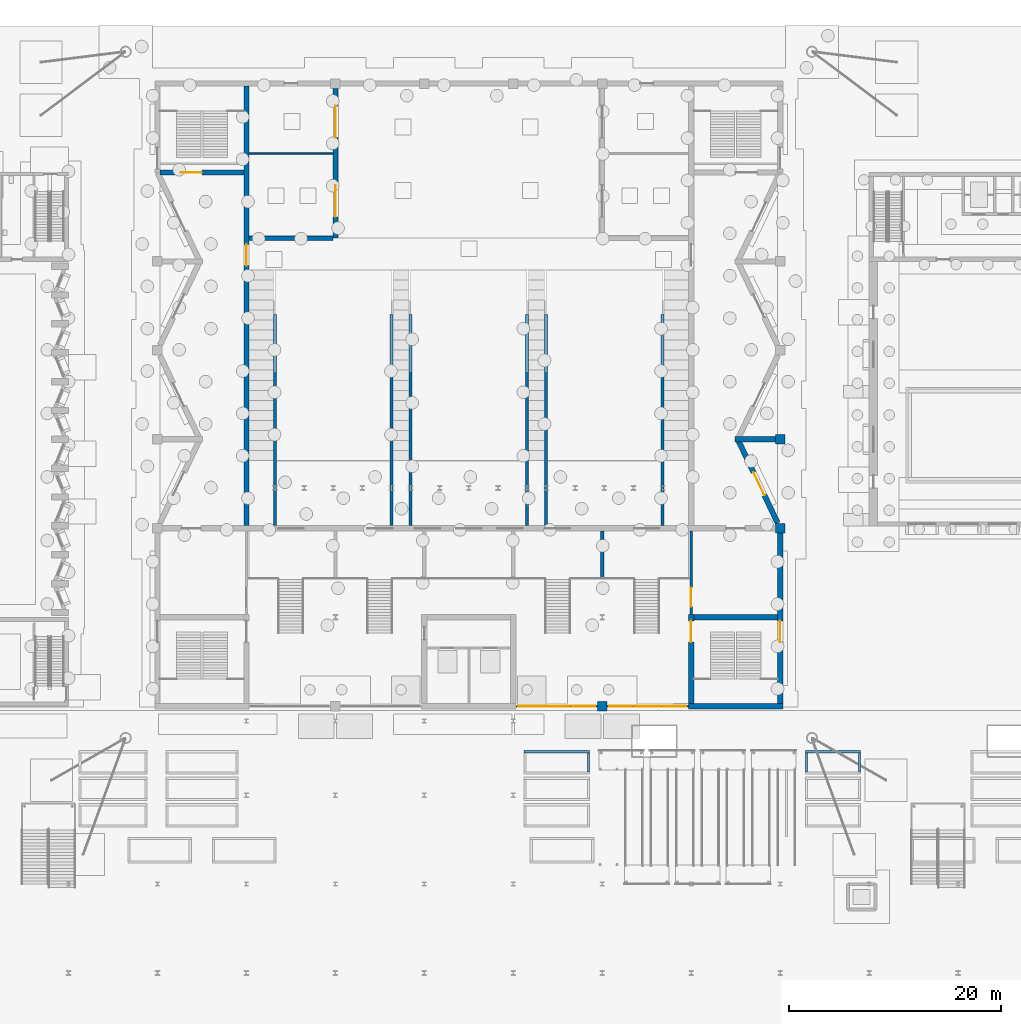
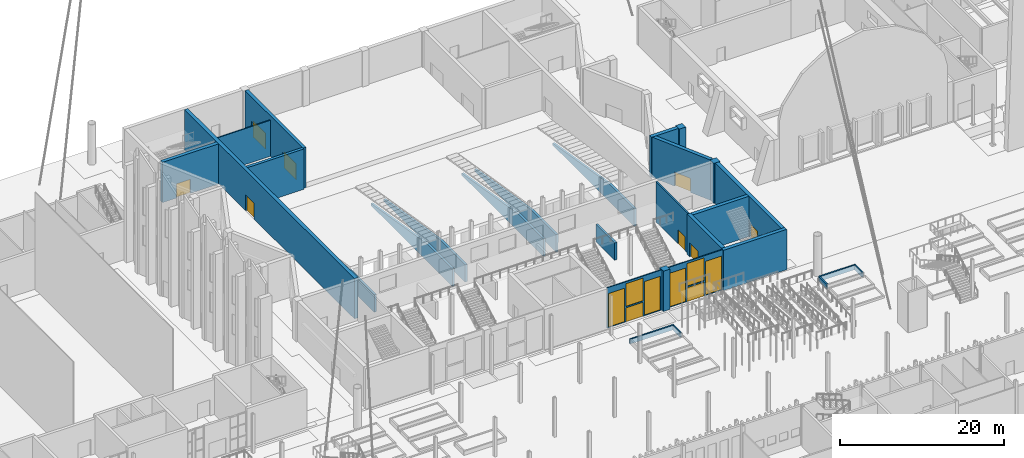
# One storey, part 67 of 108: 29 walls, 10 doors, 6 windows, 16 openings.
"""IFC4 building model written with IfcOpenShell, lengths in metres."""

import ifcopenshell
import ifcopenshell.guid

model = None  # the IFC model being written
_history = None  # IfcOwnerHistory: only IFC2X3 demands one
_inside = {}  # id of a spatial element -> (the spatial element, [elements in it])
_under = {}  # id of a project, library or spatial element -> (it, [spatial elements below it])
_declared = {}  # id of a project -> (the project, [libraries it declares])
_typed = {}  # id of a type object -> (the type object, [elements of that type])
_made_of = {}  # id of a material, layer set ... -> (it, [elements and type objects made of it])


def new_model(schema):
    """Start an empty IFC model of exactly this schema.

    Asked for "IFC4X3", IfcOpenShell would pick the latest addendum, in which some entities
    have other attributes; the version numbers below select the first issue.
    IFC2X3 requires an IfcOwnerHistory on every rooted entity: one is made here for all.
    """
    global model, _history
    if schema == "IFC4X3":
        model = ifcopenshell.file(schema_version=(4, 3, 0, 0))
    else:
        model = ifcopenshell.file(schema=schema)
    _inside.clear()
    _under.clear()
    _declared.clear()
    _typed.clear()
    _made_of.clear()
    _history = None
    if model.schema == "IFC2X3":
        org = make("IfcOrganization", Name="unknown")
        user = make(
            "IfcPersonAndOrganization",
            ThePerson=make("IfcPerson", FamilyName="unknown"),
            TheOrganization=org,
        )
        app = make(
            "IfcApplication",
            ApplicationDeveloper=org,
            Version="unknown",
            ApplicationFullName="unknown",
            ApplicationIdentifier="unknown",
        )
        _history = make(
            "IfcOwnerHistory",
            OwningUser=user,
            OwningApplication=app,
            ChangeAction="ADDED",
            CreationDate=0,
        )
    return model


def make(cls, **values):
    """One entity of the class cls with the attributes given. An attribute that is None is left unset."""
    return model.create_entity(
        cls, **{name: value for name, value in values.items() if value is not None}
    )


def rooted(cls, **values):
    """An entity with a GlobalId (a new one), such as an element, a storey or a relation."""
    return make(cls, GlobalId=ifcopenshell.guid.new(), OwnerHistory=_history, **values)


def si_unit(unit_type, name, prefix=None):
    """IfcSIUnit, for example si_unit("LENGTHUNIT", "METRE", prefix="MILLI")."""
    return make("IfcSIUnit", UnitType=unit_type, Prefix=prefix, Name=name)


def assignment(units):
    """IfcUnitAssignment: the units of a project."""
    return None if units is None else make("IfcUnitAssignment", Units=units)


def point(xyz):
    """IfcCartesianPoint."""
    return None if xyz is None else make("IfcCartesianPoint", Coordinates=xyz)


def direction(xyz):
    """IfcDirection."""
    return None if xyz is None else make("IfcDirection", DirectionRatios=xyz)


def frame(location, z_axis=None, x_axis=None):
    """IfcAxis2Placement3D, a coordinate frame: its origin and axes. An axis left out is left unset."""
    return make(
        "IfcAxis2Placement3D",
        Location=point(location),
        Axis=direction(z_axis),
        RefDirection=direction(x_axis),
    )


def frame_2d(location, x_axis=None):
    """IfcAxis2Placement2D, a coordinate frame in the plane: its origin and x axis."""
    return make(
        "IfcAxis2Placement2D", Location=point(location), RefDirection=direction(x_axis)
    )


def origin():
    """The frame at (0, 0, 0) with its axes left unset."""
    return frame((0.0, 0.0, 0.0))


def place(relative_to, where):
    """IfcLocalPlacement: puts the frame where relative to a parent placement (None: the world)."""
    return make(
        "IfcLocalPlacement", PlacementRelTo=relative_to, RelativePlacement=where
    )


def context(
    kind, dimensions, precision=None, world=None, true_north=None, identifier=None
):
    """IfcGeometricRepresentationContext, for example the 3D "Model" context."""
    return make(
        "IfcGeometricRepresentationContext",
        ContextIdentifier=identifier,
        ContextType=kind,
        CoordinateSpaceDimension=dimensions,
        Precision=precision,
        WorldCoordinateSystem=world,
        TrueNorth=true_north,
    )


def subcontext(parent, identifier, kind, view, scale=None):
    """IfcGeometricRepresentationSubContext, for example "Body" below "Model"."""
    return make(
        "IfcGeometricRepresentationSubContext",
        ContextIdentifier=identifier,
        ContextType=kind,
        ParentContext=parent,
        TargetScale=scale,
        TargetView=view,
    )


def project(units=None, contexts=None):
    """IfcProject with its units and contexts."""
    return rooted(
        "IfcProject",
        Name="project",
        RepresentationContexts=contexts,
        UnitsInContext=assignment(units),
    )


def spatial(cls, under=None, at=None, **own):
    """A site, building, storey or space (cls), placed at a placement, below another one or the project."""
    s = rooted(cls, ObjectPlacement=at, **own)
    if under is not None:
        _under.setdefault(under.id(), (under, []))[1].append(s)
    return s


def polyline(points):
    """IfcPolyline through the points."""
    return make("IfcPolyline", Points=[point(p) for p in points])


def profile(cls, at=None, kind="AREA", **sizes):
    """A parametric profile (cls). Its sizes go by their IFC names, for example OverallWidth=200.0."""
    return make(cls, ProfileType=kind, Position=at, **sizes)


def rectangle(**sizes):
    """IfcRectangleProfileDef."""
    return profile("IfcRectangleProfileDef", **sizes)


def outline(outer, holes=None, kind="AREA"):
    """IfcArbitraryClosedProfileDef: a profile drawn as a closed curve; with holes, ...WithVoids."""
    if holes is None:
        return make("IfcArbitraryClosedProfileDef", ProfileType=kind, OuterCurve=outer)
    return make(
        "IfcArbitraryProfileDefWithVoids",
        ProfileType=kind,
        OuterCurve=outer,
        InnerCurves=holes,
    )


def extrude(swept, where, along, depth):
    """IfcExtrudedAreaSolid: the profile swept, set in the frame where, extruded along a direction by depth."""
    return make(
        "IfcExtrudedAreaSolid",
        SweptArea=swept,
        Position=where,
        ExtrudedDirection=direction(along),
        Depth=depth,
    )


def shape(context_of_items, identifier, shape_type, items):
    """IfcShapeRepresentation: the items that make up one representation, for example the "Body"."""
    return make(
        "IfcShapeRepresentation",
        ContextOfItems=context_of_items,
        RepresentationIdentifier=identifier,
        RepresentationType=shape_type,
        Items=items,
    )


def material(Name=None, Category=None):
    """IfcMaterial."""
    return make("IfcMaterial", Name=Name, Category=Category)


def layer(
    of_material, thickness, ventilated=None, Name=None, Category=None, Priority=None
):
    """IfcMaterialLayer: one layer of a wall or slab, of a material (None: an air gap)."""
    return make(
        "IfcMaterialLayer",
        Material=of_material,
        LayerThickness=thickness,
        IsVentilated=ventilated,
        Name=Name,
        Category=Category,
        Priority=Priority,
    )


def layer_set(layers, Name=None):
    """IfcMaterialLayerSet."""
    return make("IfcMaterialLayerSet", MaterialLayers=layers, LayerSetName=Name)


def made_of(thing, what):
    """Note that an element or type object is made of a material, layer set ...; save() writes the relation."""
    if what is not None:
        _made_of.setdefault(what.id(), (what, []))[1].append(thing)
    return thing


def type_object(cls, material=None, **own):
    """A type object (cls), such as IfcWallType, which elements share."""
    return made_of(rooted(cls, **own), material)


def element(
    cls,
    number,
    at=None,
    inside=None,
    cuts=None,
    type_object=None,
    material=None,
    context=None,
    identifier="Body",
    shape_type=None,
    held_by="IfcProductDefinitionShape",
    body=None,
    shapes=None,
    **own,
):
    """One element of the class cls, such as IfcWall. Its Tag is "e" and its number.

    at: its placement. inside: the storey or other place that contains it. cuts: it is an
    opening in that element (IfcRelVoidsElement). A single representation is given by context,
    identifier, shape_type and body (its items); several are given by shapes. held_by: the class
    of the entity that holds the representations. save() writes the other relations.
    """
    e = rooted(cls, Tag="e%d" % number, ObjectPlacement=at, **own)
    if body is not None:
        shapes = [shape(context, identifier, shape_type, body)]
    if shapes is not None:
        e.Representation = make(held_by, Representations=shapes)
    if inside is not None:
        _inside.setdefault(inside.id(), (inside, []))[1].append(e)
    if cuts is not None:
        rooted(
            "IfcRelVoidsElement", RelatingBuildingElement=cuts, RelatedOpeningElement=e
        )
    if type_object is not None:
        _typed.setdefault(type_object.id(), (type_object, []))[1].append(e)
    return made_of(e, material)


def fill(opening, filler):
    """IfcRelFillsElement: the door or window that sits in an opening."""
    return rooted(
        "IfcRelFillsElement",
        RelatingOpeningElement=opening,
        RelatedBuildingElement=filler,
    )


def aggregate(whole, parts):
    """IfcRelAggregates: a whole, such as a stair, and the parts it consists of."""
    return rooted("IfcRelAggregates", RelatingObject=whole, RelatedObjects=parts)


def save(model, path):
    """Write the relations noted so far, then the file.

    IfcRelAggregates (storeys below a building ...), IfcRelContainedInSpatialStructure (elements
    in a storey), IfcRelDefinesByType, IfcRelAssociatesMaterial and IfcRelDeclares: one each for
    every whole, place, type object, material and project.
    """
    for whole, parts in _under.values():
        aggregate(whole, parts)
    for where, things in _inside.values():
        rooted(
            "IfcRelContainedInSpatialStructure",
            RelatedElements=things,
            RelatingStructure=where,
        )
    for kind, things in _typed.values():
        rooted("IfcRelDefinesByType", RelatedObjects=things, RelatingType=kind)
    for what, things in _made_of.values():
        rooted("IfcRelAssociatesMaterial", RelatedObjects=things, RelatingMaterial=what)
    for by, libraries in _declared.values():
        rooted("IfcRelDeclares", RelatingContext=by, RelatedDefinitions=libraries)
    model.write(path)


model = new_model("IFC4")

# Units and contexts
model_context = context("Model", 3, precision=1e-05, world=origin(), true_north=direction((0.0, 1.0)))
body_context = subcontext(model_context, "Body", "Model", "MODEL_VIEW")
ifc_project = project(units=[si_unit("LENGTHUNIT", "METRE"), si_unit("AREAUNIT", "SQUARE_METRE"), si_unit("VOLUMEUNIT", "CUBIC_METRE"), si_unit("PLANEANGLEUNIT", "RADIAN"), si_unit("MASSUNIT", "GRAM", prefix="KILO")], contexts=[model_context])

# Site, building, storey
site_placement = place(None, origin())
site = spatial("IfcSite", under=ifc_project, at=site_placement, CompositionType="ELEMENT")
building_placement = place(site_placement, origin())
building = spatial("IfcBuilding", under=site, at=building_placement, Name="Cresset Court Congress Hotel", CompositionType="ELEMENT")
storey_placement = place(building_placement, origin())
storey = spatial("IfcBuildingStorey", under=building, at=storey_placement, Name="L00", CompositionType="ELEMENT", Elevation=0.0)

# Wall, openings, door, windows
ifc_material_1 = material(Name="Aluminium and glass", Category="aluminium")
ifc_layer_1 = layer(ifc_material_1, 0.14990234375)
ifc_layer_set_1 = layer_set([ifc_layer_1], Name="Entrance screen wall 150")
wall_type_1 = type_object("IfcWallType", Name="Entrance screen wall 150", PredefinedType="SOLIDWALL", material=ifc_layer_set_1)
wall_1_placement = place(storey_placement, frame((92.64990234375, 58.800048828125, 0.0), z_axis=(0.0, 0.0, 1.0), x_axis=(1.0, 0.0, 0.0)))
wall_1 = element("IfcWall", 1, at=wall_1_placement, inside=storey, type_object=wall_type_1, Name="Screen wall CX-003", PredefinedType="SOLIDWALL", context=body_context, shape_type="SweptSolid", body=[
    extrude(rectangle(XDim=7.7001953125, YDim=0.14990234375, at=frame_2d((3.85009765625, 0.0))), origin(), (0.0, 0.0, 1.0), 6.0),
])
opening_1_placement = place(wall_1_placement, frame((2.64990234375, 0.0, 0.0)))
opening_1 = element("IfcOpeningElement", 2, at=opening_1_placement, cuts=wall_1, Name="Opening DC-00-44", PredefinedType="OPENING", context=body_context, shape_type="SweptSolid", body=[
    extrude(rectangle(XDim=2.39990234375, YDim=2.10009765625, at=frame_2d((1.199951171875, 1.050048828125))), frame((0.0, 0.0849609375, 0.0), z_axis=(0.0, -1.0, 0.0), x_axis=(1.0, 0.0, 0.0)), (0.0, 0.0, 1.0), 0.169921875),
])
opening_2_placement = place(wall_1_placement, frame((0.199951171875, 0.0, 0.10009765625)))
opening_2 = element("IfcOpeningElement", 3, at=opening_2_placement, cuts=wall_1, Name="Opening NC-00-31", PredefinedType="OPENING", context=body_context, shape_type="SweptSolid", body=[
    extrude(rectangle(XDim=2.25, YDim=5.0, at=frame_2d((1.125, 2.5))), frame((0.0, 0.0849609375, 0.0), z_axis=(0.0, -1.0, 0.0), x_axis=(1.0, 0.0, 0.0)), (0.0, 0.0, 1.0), 0.169921875),
])
opening_3_placement = place(wall_1_placement, frame((5.25, 0.0, 0.10009765625)))
opening_3 = element("IfcOpeningElement", 4, at=opening_3_placement, cuts=wall_1, Name="Opening NC-00-32", PredefinedType="OPENING", context=body_context, shape_type="SweptSolid", body=[
    extrude(rectangle(XDim=2.25, YDim=5.0, at=frame_2d((1.125, 2.5))), frame((0.0, 0.0849609375, 0.0), z_axis=(0.0, -1.0, 0.0), x_axis=(1.0, 0.0, 0.0)), (0.0, 0.0, 1.0), 0.169921875),
])
opening_4_placement = place(wall_1_placement, frame((2.64990234375, 0.0, 2.300048828125)))
opening_4 = element("IfcOpeningElement", 5, at=opening_4_placement, cuts=wall_1, Name="Opening NC-00-33", PredefinedType="OPENING", context=body_context, shape_type="SweptSolid", body=[
    extrude(rectangle(XDim=2.39990234375, YDim=3.39990234375, at=frame_2d((1.199951171875, 1.699951171875))), frame((0.0, 0.0849609375, 0.0), z_axis=(0.0, -1.0, 0.0), x_axis=(1.0, 0.0, 0.0)), (0.0, 0.0, 1.0), 0.169921875),
])
ifc_material_2 = material(Name="Aluminium and glass", Category="aluminium")
door_type_1 = type_object("IfcDoorType", Name="Double swing door 2400x2100", OperationType="DOUBLE_DOOR_DOUBLE_SWING", PredefinedType="DOOR", material=ifc_material_2)
door_1_placement = place(opening_1_placement, origin())
door_1 = element("IfcDoor", 6, at=door_1_placement, inside=storey, type_object=door_type_1, Name="Entrance door L00 3", OperationType="DOUBLE_DOOR_DOUBLE_SWING", OverallHeight=2.10009765625, OverallWidth=2.39990234375, PredefinedType="DOOR", context=body_context, shape_type="SweptSolid", body=[
    extrude(rectangle(XDim=2.39990234375, YDim=2.10009765625, at=frame_2d((1.199951171875, 1.050048828125))), frame((0.0, 0.02490234375, 0.0), z_axis=(0.0, -1.0, 0.0), x_axis=(1.0, 0.0, 0.0)), (0.0, 0.0, 1.0), 0.050048828125),
])
fill(opening_1, door_1)
ifc_material_3 = material(Name="Aluminium and glass", Category="aluminium")
window_type_1 = type_object("IfcWindowType", Name="Fixed window 2250x5000", PartitioningType="SINGLE_PANEL", PredefinedType="WINDOW", material=ifc_material_3)
window_1_placement = place(opening_2_placement, origin())
window_1 = element("IfcWindow", 7, at=window_1_placement, inside=storey, type_object=window_type_1, Name="Window NC-00-31", OverallHeight=5.0, OverallWidth=2.25, PartitioningType="SINGLE_PANEL", PredefinedType="WINDOW", context=body_context, shape_type="SweptSolid", body=[
    extrude(rectangle(XDim=2.25, YDim=5.0, at=frame_2d((1.125, 2.5))), frame((0.0, 0.030029296875, 0.0), z_axis=(0.0, -1.0, 0.0), x_axis=(1.0, 0.0, 0.0)), (0.0, 0.0, 1.0), 0.06005859375),
])
fill(opening_2, window_1)
window_2_placement = place(opening_3_placement, origin())
window_2 = element("IfcWindow", 8, at=window_2_placement, inside=storey, type_object=window_type_1, Name="Window NC-00-32", OverallHeight=5.0, OverallWidth=2.25, PartitioningType="SINGLE_PANEL", PredefinedType="WINDOW", context=body_context, shape_type="SweptSolid", body=[
    extrude(rectangle(XDim=2.25, YDim=5.0, at=frame_2d((1.125, 2.5))), frame((0.0, 0.030029296875, 0.0), z_axis=(0.0, -1.0, 0.0), x_axis=(1.0, 0.0, 0.0)), (0.0, 0.0, 1.0), 0.06005859375),
])
fill(opening_3, window_2)
ifc_material_4 = material(Name="Aluminium and glass", Category="aluminium")
window_type_2 = type_object("IfcWindowType", Name="Fixed window 2400x3400", PartitioningType="SINGLE_PANEL", PredefinedType="WINDOW", material=ifc_material_4)
window_3_placement = place(opening_4_placement, origin())
window_3 = element("IfcWindow", 9, at=window_3_placement, inside=storey, type_object=window_type_2, Name="Window NC-00-33", OverallHeight=3.39990234375, OverallWidth=2.39990234375, PartitioningType="SINGLE_PANEL", PredefinedType="WINDOW", context=body_context, shape_type="SweptSolid", body=[
    extrude(rectangle(XDim=2.39990234375, YDim=3.39990234375, at=frame_2d((1.199951171875, 1.699951171875))), frame((0.0, 0.030029296875, 0.0), z_axis=(0.0, -1.0, 0.0), x_axis=(1.0, 0.0, 0.0)), (0.0, 0.0, 1.0), 0.06005859375),
])
fill(opening_4, window_3)

wall_2_placement = place(storey_placement, frame((101.25, 58.800048828125, 0.0), z_axis=(0.0, 0.0, 1.0), x_axis=(1.0, 0.0, 0.0)))
wall_2 = element("IfcWall", 10, at=wall_2_placement, inside=storey, type_object=wall_type_1, Name="Screen wall CX-004", PredefinedType="SOLIDWALL", context=body_context, shape_type="SweptSolid", body=[
    extrude(rectangle(XDim=7.699951171875, YDim=0.14990234375, at=frame_2d((3.85009765625, 0.0))), origin(), (0.0, 0.0, 1.0), 6.0),
])
opening_5_placement = place(wall_2_placement, frame((2.64990234375, 0.0, 0.0)))
opening_5 = element("IfcOpeningElement", 11, at=opening_5_placement, cuts=wall_2, Name="Opening DC-00-46", PredefinedType="OPENING", context=body_context, shape_type="SweptSolid", body=[
    extrude(rectangle(XDim=2.39990234375, YDim=2.10009765625, at=frame_2d((1.199951171875, 1.050048828125))), frame((0.0, 0.0849609375, 0.0), z_axis=(0.0, -1.0, 0.0), x_axis=(1.0, 0.0, 0.0)), (0.0, 0.0, 1.0), 0.169921875),
])
opening_6_placement = place(wall_2_placement, frame((0.199951171875, 0.0, 0.10009765625)))
opening_6 = element("IfcOpeningElement", 12, at=opening_6_placement, cuts=wall_2, Name="Opening NC-00-41", PredefinedType="OPENING", context=body_context, shape_type="SweptSolid", body=[
    extrude(rectangle(XDim=2.25, YDim=5.0, at=frame_2d((1.125, 2.5))), frame((0.0, 0.0849609375, 0.0), z_axis=(0.0, -1.0, 0.0), x_axis=(1.0, 0.0, 0.0)), (0.0, 0.0, 1.0), 0.169921875),
])
opening_7_placement = place(wall_2_placement, frame((5.25, 0.0, 0.10009765625)))
opening_7 = element("IfcOpeningElement", 13, at=opening_7_placement, cuts=wall_2, Name="Opening NC-00-42", PredefinedType="OPENING", context=body_context, shape_type="SweptSolid", body=[
    extrude(rectangle(XDim=2.25, YDim=5.0, at=frame_2d((1.125, 2.5))), frame((0.0, 0.0849609375, 0.0), z_axis=(0.0, -1.0, 0.0), x_axis=(1.0, 0.0, 0.0)), (0.0, 0.0, 1.0), 0.169921875),
])
opening_8_placement = place(wall_2_placement, frame((2.64990234375, 0.0, 2.300048828125)))
opening_8 = element("IfcOpeningElement", 14, at=opening_8_placement, cuts=wall_2, Name="Opening NC-00-43", PredefinedType="OPENING", context=body_context, shape_type="SweptSolid", body=[
    extrude(rectangle(XDim=2.39990234375, YDim=3.39990234375, at=frame_2d((1.199951171875, 1.699951171875))), frame((0.0, 0.0849609375, 0.0), z_axis=(0.0, -1.0, 0.0), x_axis=(1.0, 0.0, 0.0)), (0.0, 0.0, 1.0), 0.169921875),
])
door_2_placement = place(opening_5_placement, origin())
door_2 = element("IfcDoor", 15, at=door_2_placement, inside=storey, type_object=door_type_1, Name="Entrance door L00 4", OperationType="DOUBLE_DOOR_DOUBLE_SWING", OverallHeight=2.10009765625, OverallWidth=2.39990234375, PredefinedType="DOOR", context=body_context, shape_type="SweptSolid", body=[
    extrude(rectangle(XDim=2.39990234375, YDim=2.10009765625, at=frame_2d((1.199951171875, 1.050048828125))), frame((0.0, 0.02490234375, 0.0), z_axis=(0.0, -1.0, 0.0), x_axis=(1.0, 0.0, 0.0)), (0.0, 0.0, 1.0), 0.050048828125),
])
fill(opening_5, door_2)
window_4_placement = place(opening_6_placement, origin())
window_4 = element("IfcWindow", 16, at=window_4_placement, inside=storey, type_object=window_type_1, Name="Window NC-00-41", OverallHeight=5.0, OverallWidth=2.25, PartitioningType="SINGLE_PANEL", PredefinedType="WINDOW", context=body_context, shape_type="SweptSolid", body=[
    extrude(rectangle(XDim=2.25, YDim=5.0, at=frame_2d((1.125, 2.5))), frame((0.0, 0.030029296875, 0.0), z_axis=(0.0, -1.0, 0.0), x_axis=(1.0, 0.0, 0.0)), (0.0, 0.0, 1.0), 0.06005859375),
])
fill(opening_6, window_4)
window_5_placement = place(opening_7_placement, origin())
window_5 = element("IfcWindow", 17, at=window_5_placement, inside=storey, type_object=window_type_1, Name="Window NC-00-42", OverallHeight=5.0, OverallWidth=2.25, PartitioningType="SINGLE_PANEL", PredefinedType="WINDOW", context=body_context, shape_type="SweptSolid", body=[
    extrude(rectangle(XDim=2.25, YDim=5.0, at=frame_2d((1.125, 2.5))), frame((0.0, 0.030029296875, 0.0), z_axis=(0.0, -1.0, 0.0), x_axis=(1.0, 0.0, 0.0)), (0.0, 0.0, 1.0), 0.06005859375),
])
fill(opening_7, window_5)
window_6_placement = place(opening_8_placement, origin())
window_6 = element("IfcWindow", 18, at=window_6_placement, inside=storey, type_object=window_type_2, Name="Window NC-00-43", OverallHeight=3.39990234375, OverallWidth=2.39990234375, PartitioningType="SINGLE_PANEL", PredefinedType="WINDOW", context=body_context, shape_type="SweptSolid", body=[
    extrude(rectangle(XDim=2.39990234375, YDim=3.39990234375, at=frame_2d((1.199951171875, 1.699951171875))), frame((0.0, 0.030029296875, 0.0), z_axis=(0.0, -1.0, 0.0), x_axis=(1.0, 0.0, 0.0)), (0.0, 0.0, 1.0), 0.06005859375),
])
fill(opening_8, window_6)

# Wall, openings, doors
ifc_material_5 = material(Name="Concrete C50", Category="concrete")
ifc_layer_2 = layer(ifc_material_5, 0.449951171875)
ifc_layer_set_2 = layer_set([ifc_layer_2], Name="Fly-tower wall 450")
wall_type_2 = type_object("IfcWallType", Name="Fly-tower wall 450", PredefinedType="SOLIDWALL", material=ifc_layer_set_2)
wall_3_placement = place(storey_placement, frame((75.60009765625, 103.0, 0.0), z_axis=(0.0, 0.0, 1.0), x_axis=(0.0, 1.0, 0.0)))
wall_3 = element("IfcWall", 19, at=wall_3_placement, inside=storey, type_object=wall_type_2, Name="Wall CS-1L00", PredefinedType="SOLIDWALL", context=body_context, shape_type="SweptSolid", body=[
    extrude(rectangle(XDim=14.14990234375, YDim=0.449951171875, at=frame_2d((7.074951171875, 0.0))), origin(), (0.0, 0.0, 1.0), 6.0),
])
opening_9_placement = place(wall_3_placement, frame((2.0, 0.0, 0.0)))
opening_9 = element("IfcOpeningElement", 20, at=opening_9_placement, cuts=wall_3, Name="Opening DC-00-24", PredefinedType="OPENING", context=body_context, shape_type="SweptSolid", body=[
    extrude(rectangle(XDim=3.0, YDim=2.39990234375, at=frame_2d((1.5, 1.199951171875))), frame((0.0, 0.23486328125, 0.0), z_axis=(0.0, -1.0, 0.0), x_axis=(1.0, 0.0, 0.0)), (0.0, 0.0, 1.0), 0.469970703125),
])
opening_10_placement = place(wall_3_placement, frame((9.5, 0.0, 0.0)))
opening_10 = element("IfcOpeningElement", 21, at=opening_10_placement, cuts=wall_3, Name="Opening DC-00-25", PredefinedType="OPENING", context=body_context, shape_type="SweptSolid", body=[
    extrude(rectangle(XDim=3.0, YDim=2.39990234375, at=frame_2d((1.5, 1.199951171875))), frame((0.0, 0.23486328125, 0.0), z_axis=(0.0, -1.0, 0.0), x_axis=(1.0, 0.0, 0.0)), (0.0, 0.0, 1.0), 0.469970703125),
])
ifc_material_6 = material(Name="Timber", Category="wood")
door_type_2 = type_object("IfcDoorType", Name="Double swing door 3000x2400", OperationType="DOUBLE_DOOR_DOUBLE_SWING", PredefinedType="DOOR", material=ifc_material_6)
door_3_placement = place(opening_9_placement, origin())
door_3 = element("IfcDoor", 22, at=door_3_placement, inside=storey, type_object=door_type_2, Name="Scenery transfer door W1", OperationType="DOUBLE_DOOR_DOUBLE_SWING", OverallHeight=2.39990234375, OverallWidth=3.0, PredefinedType="DOOR", context=body_context, shape_type="SweptSolid", body=[
    extrude(rectangle(XDim=3.0, YDim=2.39990234375, at=frame_2d((1.5, 1.199951171875))), frame((0.0, 0.02490234375, 0.0), z_axis=(0.0, -1.0, 0.0), x_axis=(1.0, 0.0, 0.0)), (0.0, 0.0, 1.0), 0.050048828125),
])
fill(opening_9, door_3)
door_4_placement = place(opening_10_placement, origin())
door_4 = element("IfcDoor", 23, at=door_4_placement, inside=storey, type_object=door_type_2, Name="Scenery transfer door W2", OperationType="DOUBLE_DOOR_DOUBLE_SWING", OverallHeight=2.39990234375, OverallWidth=3.0, PredefinedType="DOOR", context=body_context, shape_type="SweptSolid", body=[
    extrude(rectangle(XDim=3.0, YDim=2.39990234375, at=frame_2d((1.5, 1.199951171875))), frame((0.0, 0.02490234375, 0.0), z_axis=(0.0, -1.0, 0.0), x_axis=(1.0, 0.0, 0.0)), (0.0, 0.0, 1.0), 0.050048828125),
])
fill(opening_10, door_4)

# Wall, opening, door
ifc_material_7 = material(Name="Concrete C50", Category="concrete")
ifc_layer_3 = layer(ifc_material_7, 0.5)
ifc_layer_set_3 = layer_set([ifc_layer_3], Name="Hall inner wall 500")
wall_type_3 = type_object("IfcWallType", Name="Hall inner wall 500", PredefinedType="SOLIDWALL", material=ifc_layer_set_3)
wall_4_placement = place(storey_placement, frame((67.199951171875, 75.85009765625, 0.0), z_axis=(0.0, 0.0, 1.0), x_axis=(0.0, 1.0, 0.0)))
wall_4 = element("IfcWall", 24, at=wall_4_placement, inside=storey, type_object=wall_type_3, Name="Wall CI-WL00", PredefinedType="SOLIDWALL", context=body_context, shape_type="SweptSolid", body=[
    extrude(rectangle(XDim=41.5, YDim=0.5, at=frame_2d((20.75, 0.0))), origin(), (0.0, 0.0, 1.0), 6.0),
])
opening_11_placement = place(wall_4_placement, frame((24.550048828125, 0.0, 0.0)))
opening_11 = element("IfcOpeningElement", 25, at=opening_11_placement, cuts=wall_4, Name="Opening DC-00-18", PredefinedType="OPENING", context=body_context, shape_type="SweptSolid", body=[
    extrude(rectangle(XDim=2.0, YDim=2.39990234375, at=frame_2d((1.0, 1.199951171875))), frame((0.0, 0.260009765625, 0.0), z_axis=(0.0, -1.0, 0.0), x_axis=(1.0, 0.0, 0.0)), (0.0, 0.0, 1.0), 0.52001953125),
])
ifc_material_8 = material(Name="Timber", Category="wood")
door_type_3 = type_object("IfcDoorType", Name="Double swing door 2000x2400 FD30", OperationType="DOUBLE_DOOR_DOUBLE_SWING", PredefinedType="DOOR", material=ifc_material_8)
door_5_placement = place(opening_11_placement, origin())
door_5 = element("IfcDoor", 26, at=door_5_placement, inside=storey, type_object=door_type_3, Name="Hall side door W", OperationType="DOUBLE_DOOR_DOUBLE_SWING", OverallHeight=2.39990234375, OverallWidth=2.0, PredefinedType="DOOR", context=body_context, shape_type="SweptSolid", body=[
    extrude(rectangle(XDim=2.0, YDim=2.39990234375, at=frame_2d((1.0, 1.199951171875))), frame((0.0, 0.02490234375, 0.0), z_axis=(0.0, -1.0, 0.0), x_axis=(1.0, 0.0, 0.0)), (0.0, 0.0, 1.0), 0.050048828125),
])
fill(opening_11, door_5)

wall_5_placement = place(storey_placement, frame((109.199951171875, 59.050048828125, 0.0), z_axis=(0.0, 0.0, 1.0), x_axis=(0.0, 1.0, 0.0)))
wall_5 = element("IfcWall", 27, at=wall_5_placement, inside=storey, type_object=wall_type_3, Name="Wall CC-C2WL00", PredefinedType="SOLIDWALL", context=body_context, shape_type="SweptSolid", body=[
    extrude(rectangle(XDim=8.39990234375, YDim=0.5, at=frame_2d((4.199951171875, 0.0))), origin(), (0.0, 0.0, 1.0), 6.0),
])
opening_12_placement = place(wall_5_placement, frame((5.800048828125, 0.0, 0.0)))
opening_12 = element("IfcOpeningElement", 28, at=opening_12_placement, cuts=wall_5, Name="Opening DC-00-02", PredefinedType="OPENING", context=body_context, shape_type="SweptSolid", body=[
    extrude(rectangle(XDim=2.0, YDim=2.10009765625, at=frame_2d((1.0, 1.050048828125))), frame((0.0, 0.260009765625, 0.0), z_axis=(0.0, -1.0, 0.0), x_axis=(1.0, 0.0, 0.0)), (0.0, 0.0, 1.0), 0.52001953125),
])
ifc_material_9 = material(Name="Timber", Category="wood")
door_type_4 = type_object("IfcDoorType", Name="Double swing door 2000x2100 FD60", OperationType="DOUBLE_DOOR_DOUBLE_SWING", PredefinedType="DOOR", material=ifc_material_9)
door_6_placement = place(opening_12_placement, origin())
door_6 = element("IfcDoor", 29, at=door_6_placement, inside=storey, type_object=door_type_4, Name="Stair door ST-C2 L00", OperationType="DOUBLE_DOOR_DOUBLE_SWING", OverallHeight=2.10009765625, OverallWidth=2.0, PredefinedType="DOOR", context=body_context, shape_type="SweptSolid", body=[
    extrude(rectangle(XDim=2.0, YDim=2.10009765625, at=frame_2d((1.0, 1.050048828125))), frame((0.0, 0.02490234375, 0.0), z_axis=(0.0, -1.0, 0.0), x_axis=(1.0, 0.0, 0.0)), (0.0, 0.0, 1.0), 0.050048828125),
])
fill(opening_12, door_6)

# Wall
wall_6_placement = place(storey_placement, frame((109.449951171875, 67.199951171875, 0.0), z_axis=(0.0, 0.0, 1.0), x_axis=(1.0, 0.0, 0.0)))
element("IfcWall", 30, at=wall_6_placement, inside=storey, type_object=wall_type_3, Name="Wall CC-C2NL00", PredefinedType="SOLIDWALL", context=body_context, shape_type="SweptSolid", body=[
    extrude(rectangle(XDim=7.900146484375, YDim=0.5, at=frame_2d((3.9501953125, 0.0))), origin(), (0.0, 0.0, 1.0), 6.0),
])

# Wall, opening, door
wall_7_placement = place(storey_placement, frame((59.050048828125, 109.199951171875, 0.0), z_axis=(0.0, 0.0, 1.0), x_axis=(1.0, 0.0, 0.0)))
wall_7 = element("IfcWall", 31, at=wall_7_placement, inside=storey, type_object=wall_type_3, Name="Wall CC-C3SL00", PredefinedType="SOLIDWALL", context=body_context, shape_type="SweptSolid", body=[
    extrude(rectangle(XDim=7.89990234375, YDim=0.5, at=frame_2d((3.949951171875, 0.0))), origin(), (0.0, 0.0, 1.0), 6.0),
])
opening_13_placement = place(wall_7_placement, frame((1.949951171875, 0.0, 0.0)))
opening_13 = element("IfcOpeningElement", 32, at=opening_13_placement, cuts=wall_7, Name="Opening DC-00-03", PredefinedType="OPENING", context=body_context, shape_type="SweptSolid", body=[
    extrude(rectangle(XDim=2.0, YDim=2.10009765625, at=frame_2d((1.0, 1.050048828125))), frame((0.0, 0.260009765625, 0.0), z_axis=(0.0, -1.0, 0.0), x_axis=(1.0, 0.0, 0.0)), (0.0, 0.0, 1.0), 0.52001953125),
])
door_7_placement = place(opening_13_placement, origin())
door_7 = element("IfcDoor", 33, at=door_7_placement, inside=storey, type_object=door_type_4, Name="Stair door ST-C3 L00", OperationType="DOUBLE_DOOR_DOUBLE_SWING", OverallHeight=2.10009765625, OverallWidth=2.0, PredefinedType="DOOR", context=body_context, shape_type="SweptSolid", body=[
    extrude(rectangle(XDim=2.0, YDim=2.10009765625, at=frame_2d((1.0, 1.050048828125))), frame((0.0, 0.02490234375, 0.0), z_axis=(0.0, -1.0, 0.0), x_axis=(1.0, 0.0, 0.0)), (0.0, 0.0, 1.0), 0.050048828125),
])
fill(opening_13, door_7)

# Wall
ifc_material_10 = material(Name="Limestone-faced precast concrete C50", Category="masonry")
ifc_layer_4 = layer(ifc_material_10, 0.5)
ifc_layer_set_4 = layer_set([ifc_layer_4], Name="Hall perimeter wall 500")
wall_type_4 = type_object("IfcWallType", Name="Hall perimeter wall 500", PredefinedType="SOLIDWALL", material=ifc_layer_set_4)
wall_8_placement = place(storey_placement, frame((117.85009765625, 58.800048828125, 0.0), z_axis=(0.0, 0.0, 1.0), x_axis=(-1.0, 0.0, 0.0)))
element("IfcWall", 34, at=wall_8_placement, inside=storey, type_object=wall_type_4, Name="Wall CW-SL00-3", PredefinedType="SOLIDWALL", context=body_context, shape_type="SweptSolid", body=[
    extrude(rectangle(XDim=8.900146484375, YDim=0.5, at=frame_2d((4.4501953125, 0.0))), origin(), (0.0, 0.0, 1.0), 6.0),
])

# Wall, opening, door
wall_9_placement = place(storey_placement, frame((117.60009765625, 75.14990234375, 0.0), z_axis=(0.0, 0.0, 1.0), x_axis=(0.0, -1.0, 0.0)))
wall_9 = element("IfcWall", 35, at=wall_9_placement, inside=storey, type_object=wall_type_4, Name="Wall CW-EL00-1", PredefinedType="SOLIDWALL", context=body_context, shape_type="SweptSolid", body=[
    extrude(rectangle(XDim=16.099853515625, YDim=0.5, at=frame_2d((8.0498046875, 0.0))), origin(), (0.0, 0.0, 1.0), 6.0),
])
opening_14_placement = place(wall_9_placement, frame((8.300048828125, 0.0, 0.0)))
opening_14 = element("IfcOpeningElement", 36, at=opening_14_placement, cuts=wall_9, Name="Opening DC-00-11A", PredefinedType="OPENING", context=body_context, shape_type="SweptSolid", body=[
    extrude(rectangle(XDim=2.0, YDim=2.10009765625, at=frame_2d((1.0, 1.050048828125))), frame((0.0, 0.260009765625, 0.0), z_axis=(0.0, -1.0, 0.0), x_axis=(1.0, 0.0, 0.0)), (0.0, 0.0, 1.0), 0.52001953125),
])
ifc_material_11 = material(Name="Timber", Category="wood")
door_type_5 = type_object("IfcDoorType", Name="Double swing door 2000x2100 FD60 external", OperationType="DOUBLE_DOOR_DOUBLE_SWING", PredefinedType="DOOR", material=ifc_material_11)
door_8_placement = place(opening_14_placement, origin())
door_8 = element("IfcDoor", 37, at=door_8_placement, inside=storey, type_object=door_type_5, Name="Stair exit door ST-C2", OperationType="DOUBLE_DOOR_DOUBLE_SWING", OverallHeight=2.10009765625, OverallWidth=2.0, PredefinedType="DOOR", context=body_context, shape_type="SweptSolid", body=[
    extrude(rectangle(XDim=2.0, YDim=2.10009765625, at=frame_2d((1.0, 1.050048828125))), frame((0.0, 0.02490234375, 0.0), z_axis=(0.0, -1.0, 0.0), x_axis=(1.0, 0.0, 0.0)), (0.0, 0.0, 1.0), 0.050048828125),
])
fill(opening_14, door_8)

wall_10_placement = place(storey_placement, frame((113.66552734375, 83.862548828125, 0.0), z_axis=(0.0, 0.0, 1.0), x_axis=(0.429922557701, -0.902865767642, 0.0)))
wall_10 = element("IfcWall", 38, at=wall_10_placement, inside=storey, type_object=wall_type_4, Name="Wall CW-EL00-2", PredefinedType="SOLIDWALL", context=body_context, shape_type="SweptSolid", body=[
    extrude(rectangle(XDim=8.59765625, YDim=0.5, at=frame_2d((4.298828125, 0.0))), origin(), (0.0, 0.0, 1.0), 6.0),
])
opening_15_placement = place(wall_10_placement, frame((3.299560546875, 0.0, 0.0)))
opening_15 = element("IfcOpeningElement", 39, at=opening_15_placement, cuts=wall_10, Name="Opening DC-00-33A", PredefinedType="OPENING", context=body_context, shape_type="SweptSolid", body=[
    extrude(rectangle(XDim=2.39990234375, YDim=2.10009765625, at=frame_2d((1.199951171875, 1.050048828125))), frame((0.0, 0.260009765625, 0.0), z_axis=(0.0, -1.0, 0.0), x_axis=(1.0, 0.0, 0.0)), (0.0, 0.0, 1.0), 0.52001953125),
])
ifc_material_12 = material(Name="Timber", Category="wood")
door_type_6 = type_object("IfcDoorType", Name="Double swing door 2400x2100 FD30 external", OperationType="DOUBLE_DOOR_DOUBLE_SWING", PredefinedType="DOOR", material=ifc_material_12)
door_9_placement = place(opening_15_placement, origin())
door_9 = element("IfcDoor", 40, at=door_9_placement, inside=storey, type_object=door_type_6, Name="Hall exit door E1", OperationType="DOUBLE_DOOR_DOUBLE_SWING", OverallHeight=2.10009765625, OverallWidth=2.39990234375, PredefinedType="DOOR", context=body_context, shape_type="SweptSolid", body=[
    extrude(rectangle(XDim=2.39990234375, YDim=2.10009765625, at=frame_2d((1.199951171875, 1.050048828125))), frame((0.0, 0.02490234375, 0.0), z_axis=(0.0, -1.0, 0.0), x_axis=(1.0, 0.0, 0.0)), (0.0, 0.0, 1.0), 0.050048828125),
])
fill(opening_15, door_9)

# Walls
wall_11_placement = place(storey_placement, frame((113.35009765625, 84.0, 0.0), z_axis=(0.0, 0.0, 1.0), x_axis=(1.0, 0.0, 0.0)))
element("IfcWall", 41, at=wall_11_placement, inside=storey, type_object=wall_type_4, Name="Wall CW-EL00-R1", PredefinedType="SOLIDWALL", context=body_context, shape_type="SweptSolid", body=[
    extrude(rectangle(XDim=3.7998046875, YDim=0.5, at=frame_2d((1.89990234375, 0.0))), origin(), (0.0, 0.0, 1.0), 6.0),
])
ifc_material_13 = material(Name="Concrete C50", Category="concrete")
ifc_layer_5 = layer(ifc_material_13, 0.89990234375)
ifc_layer_set_5 = layer_set([ifc_layer_5], Name="Hall pilaster 900x900")
wall_type_5 = type_object("IfcWallType", Name="Hall pilaster 900x900", PredefinedType="SOLIDWALL", material=ifc_layer_set_5)
wall_12_placement = place(storey_placement, frame((100.35009765625, 58.800048828125, 0.0), z_axis=(0.0, 0.0, 1.0), x_axis=(1.0, 0.0, 0.0)))
element("IfcWall", 42, at=wall_12_placement, inside=storey, type_object=wall_type_5, Name="Pilaster P-S2", PredefinedType="SOLIDWALL", context=body_context, shape_type="SweptSolid", body=[
    extrude(rectangle(XDim=0.89990234375, YDim=0.89990234375, at=frame_2d((0.449951171875, 0.0))), origin(), (0.0, 0.0, 1.0), 6.0),
])
wall_13_placement = place(storey_placement, frame((117.60009765625, 75.14990234375, 0.0), z_axis=(0.0, 0.0, 1.0), x_axis=(0.0, 1.0, 0.0)))
element("IfcWall", 43, at=wall_13_placement, inside=storey, type_object=wall_type_5, Name="Pilaster P-E1", PredefinedType="SOLIDWALL", context=body_context, shape_type="SweptSolid", body=[
    extrude(rectangle(XDim=0.900146484375, YDim=0.89990234375, at=frame_2d((0.4501953125, 0.0))), origin(), (0.0, 0.0, 1.0), 6.0),
])
wall_14_placement = place(storey_placement, frame((117.60009765625, 83.550048828125, 0.0), z_axis=(0.0, 0.0, 1.0), x_axis=(0.0, 1.0, 0.0)))
element("IfcWall", 44, at=wall_14_placement, inside=storey, type_object=wall_type_5, Name="Pilaster P-E2", PredefinedType="SOLIDWALL", context=body_context, shape_type="SweptSolid", body=[
    extrude(rectangle(XDim=0.89990234375, YDim=0.89990234375, at=frame_2d((0.449951171875, 0.0))), origin(), (0.0, 0.0, 1.0), 6.0),
])
ifc_material_14 = material(Name="Gypsum board on steel studs", Category="steel")
ifc_layer_6 = layer(ifc_material_14, 0.14990234375)
ifc_layer_set_6 = layer_set([ifc_layer_6], Name="Hall room partition 150")
wall_type_6 = type_object("IfcWallType", Name="Hall room partition 150", PredefinedType="PARTITIONING", material=ifc_layer_set_6)
wall_15_placement = place(storey_placement, frame((67.449951171875, 111.0, 0.0), z_axis=(0.0, 0.0, 1.0), x_axis=(1.0, 0.0, 0.0)))
element("IfcWall", 45, at=wall_15_placement, inside=storey, type_object=wall_type_6, Name="Wall CP-gr.1", PredefinedType="PARTITIONING", context=body_context, shape_type="SweptSolid", body=[
    extrude(rectangle(XDim=7.949951171875, YDim=0.14990234375, at=frame_2d((3.97509765625, 0.0))), origin(), (0.0, 0.0, 1.0), 5.35009765625),
])
ifc_material_15 = material(Name="Concrete C50", Category="concrete")
ifc_layer_7 = layer(ifc_material_15, 0.39990234375)
ifc_layer_set_7 = layer_set([ifc_layer_7], Name="Hall stage wall 400")
wall_type_7 = type_object("IfcWallType", Name="Hall stage wall 400", PredefinedType="SOLIDWALL", material=ifc_layer_set_7)
wall_16_placement = place(storey_placement, frame((67.449951171875, 103.0, 0.0), z_axis=(0.0, 0.0, 1.0), x_axis=(1.0, 0.0, 0.0)))
element("IfcWall", 46, at=wall_16_placement, inside=storey, type_object=wall_type_7, Name="Wall CW-1L00", PredefinedType="SOLIDWALL", context=body_context, shape_type="SweptSolid", body=[
    extrude(rectangle(XDim=7.925048828125, YDim=0.39990234375, at=frame_2d((3.96240234375, 0.0))), origin(), (0.0, 0.0, 1.0), 6.0),
])

# Wall, opening, door
ifc_material_16 = material(Name="Concrete C35", Category="concrete")
ifc_layer_8 = layer(ifc_material_16, 0.199951171875)
ifc_layer_set_8 = layer_set([ifc_layer_8], Name="Plant room wall 200 load-bearing")
wall_type_8 = type_object("IfcWallType", Name="Plant room wall 200 load-bearing", PredefinedType="PARTITIONING", material=ifc_layer_set_8)
wall_17_placement = place(storey_placement, frame((109.199951171875, 67.449951171875, 0.0), z_axis=(0.0, 0.0, 1.0), x_axis=(0.0, 1.0, 0.0)))
wall_17 = element("IfcWall", 47, at=wall_17_placement, inside=storey, type_object=wall_type_8, Name="Wall CP-clk.L00", PredefinedType="PARTITIONING", context=body_context, shape_type="SweptSolid", body=[
    extrude(rectangle(XDim=7.900146484375, YDim=0.199951171875, at=frame_2d((3.9501953125, 0.0))), origin(), (0.0, 0.0, 1.0), 6.0),
])
opening_16_placement = place(wall_17_placement, frame((0.75, 0.0, 0.0)))
opening_16 = element("IfcOpeningElement", 48, at=opening_16_placement, cuts=wall_17, Name="Opening DC-00-15", PredefinedType="OPENING", context=body_context, shape_type="SweptSolid", body=[
    extrude(rectangle(XDim=1.800048828125, YDim=2.10009765625, at=frame_2d((0.89990234375, 1.050048828125))), frame((0.0, 0.10986328125, 0.0), z_axis=(0.0, -1.0, 0.0), x_axis=(1.0, 0.0, 0.0)), (0.0, 0.0, 1.0), 0.219970703125),
])
ifc_material_17 = material(Name="Timber", Category="wood")
door_type_7 = type_object("IfcDoorType", Name="Double swing door 1800x2100", OperationType="DOUBLE_DOOR_DOUBLE_SWING", PredefinedType="DOOR", material=ifc_material_17)
door_10_placement = place(opening_16_placement, origin())
door_10 = element("IfcDoor", 49, at=door_10_placement, inside=storey, type_object=door_type_7, Name="Cloakroom door", OperationType="DOUBLE_DOOR_DOUBLE_SWING", OverallHeight=2.10009765625, OverallWidth=1.800048828125, PredefinedType="DOOR", context=body_context, shape_type="SweptSolid", body=[
    extrude(rectangle(XDim=1.800048828125, YDim=2.10009765625, at=frame_2d((0.89990234375, 1.050048828125))), frame((0.0, 0.02490234375, 0.0), z_axis=(0.0, -1.0, 0.0), x_axis=(1.0, 0.0, 0.0)), (0.0, 0.0, 1.0), 0.050048828125),
])
fill(opening_16, door_10)

# Walls
ifc_material_18 = material(Name="Concrete C35", Category="concrete")
ifc_layer_9 = layer(ifc_material_18, 0.199951171875)
ifc_layer_set_9 = layer_set([ifc_layer_9], Name="Planter wall 200")
wall_type_9 = type_object("IfcWallType", Name="Planter wall 200", PredefinedType="SOLIDWALL", material=ifc_layer_set_9)
wall_18_placement = place(storey_placement, frame((93.39990234375, 54.5, 0.0), z_axis=(0.0, 0.0, 1.0), x_axis=(1.0, 0.0, 0.0)))
element("IfcWall", 50, at=wall_18_placement, inside=storey, type_object=wall_type_9, Name="Terrace planter wall 09", PredefinedType="SOLIDWALL", context=body_context, shape_type="SweptSolid", body=[
    extrude(rectangle(XDim=6.2001953125, YDim=0.199951171875, at=frame_2d((3.10009765625, 0.0))), origin(), (0.0, 0.0, 1.0), 0.699951171875),
])
wall_19_placement = place(storey_placement, frame((99.5, 52.60009765625, 0.0), z_axis=(0.0, 0.0, 1.0), x_axis=(0.0, 1.0, 0.0)))
element("IfcWall", 51, at=wall_19_placement, inside=storey, type_object=wall_type_9, Name="Terrace planter wall 09", PredefinedType="SOLIDWALL", context=body_context, shape_type="SweptSolid", body=[
    extrude(rectangle(XDim=1.7998046875, YDim=0.199951171875, at=frame_2d((0.89990234375, 0.0))), origin(), (0.0, 0.0, 1.0), 0.699951171875),
])
wall_20_placement = place(storey_placement, frame((120.0, 54.5, 0.0), z_axis=(0.0, 0.0, 1.0), x_axis=(1.0, 0.0, 0.0)))
element("IfcWall", 52, at=wall_20_placement, inside=storey, type_object=wall_type_9, Name="Terrace planter wall 12", PredefinedType="SOLIDWALL", context=body_context, shape_type="SweptSolid", body=[
    extrude(rectangle(XDim=5.199951171875, YDim=0.199951171875, at=frame_2d((2.60009765625, 0.0))), origin(), (0.0, 0.0, 1.0), 0.699951171875),
])
for number, where, z_axis, x_axis, name in (
    (53, (120.10009765625, 52.60009765625, 0.0), (0.0, 0.0, 1.0), (0.0, 1.0, 0.0), "Terrace planter wall 12"),
    (54, (125.10009765625, 52.60009765625, 0.0), (0.0, 0.0, 1.0), (0.0, 1.0, 0.0), "Terrace planter wall 12"),
):
    element("IfcWall", number, at=place(storey_placement, frame(where, z_axis=z_axis, x_axis=x_axis)), inside=storey, type_object=wall_type_9, Name=name, PredefinedType="SOLIDWALL", context=body_context, shape_type="SweptSolid", body=[
        extrude(rectangle(XDim=1.7998046875, YDim=0.199951171875, at=frame_2d((0.89990234375, 0.0))), origin(), (0.0, 0.0, 1.0), 0.699951171875),
    ])
ifc_material_19 = material(Name="Concrete C50", Category="concrete")
ifc_layer_10 = layer(ifc_material_19, 0.300048828125)
ifc_layer_set_10 = layer_set([ifc_layer_10], Name="Raked stall wall 300")
wall_type_10 = type_object("IfcWallType", Name="Raked stall wall 300", PredefinedType="SOLIDWALL", material=ifc_layer_set_10)
for number, where, z_axis, x_axis, name in (
    (55, (69.89990234375, 95.766845703125, 0.0), (0.0, 0.0, 1.0), (0.0, -1.0, 0.0), "Wall CR-1"),
    (56, (80.89990234375, 95.766845703125, 0.0), (0.0, 0.0, 1.0), (0.0, -1.0, 0.0), "Wall CR-2"),
    (57, (82.699951171875, 95.766845703125, 0.0), (0.0, 0.0, 1.0), (0.0, -1.0, 0.0), "Wall CR-3"),
    (58, (93.699951171875, 95.766845703125, 0.0), (0.0, 0.0, 1.0), (0.0, -1.0, 0.0), "Wall CR-4"),
    (59, (95.5, 95.766845703125, 0.0), (0.0, 0.0, 1.0), (0.0, -1.0, 0.0), "Wall CR-5"),
    (60, (106.5, 95.766845703125, 0.0), (0.0, 0.0, 1.0), (0.0, -1.0, 0.0), "Wall CR-6"),
):
    element("IfcWall", number, at=place(storey_placement, frame(where, z_axis=z_axis, x_axis=x_axis)), inside=storey, type_object=wall_type_10, Name=name, PredefinedType="SOLIDWALL", context=body_context, shape_type="SweptSolid", body=[
        extrude(outline(polyline([(0.0, 0.0), (19.916748046875, 0.0), (19.9169921875, 2.60009765625), (13.766845703125, 2.594482421875), (0.0, 0.300048828125), (0.0, 0.0)])), frame((0.0, 0.14990234375, 0.0), z_axis=(0.0, -1.0, 0.0), x_axis=(1.0, 0.0, 0.0)), (0.0, 0.0, 1.0), 0.300048828125),
    ])
wall_21_placement = place(storey_placement, frame((100.800048828125, 70.75, 0.0), z_axis=(0.0, 0.0, 1.0), x_axis=(0.0, 1.0, 0.0)))
element("IfcWall", 61, at=wall_21_placement, inside=storey, type_object=wall_type_10, Name="Wall CP-4", PredefinedType="SOLIDWALL", context=body_context, shape_type="SweptSolid", body=[
    extrude(rectangle(XDim=4.60009765625, YDim=0.300048828125, at=frame_2d((2.300048828125, 0.0))), origin(), (0.0, 0.0, 1.0), 2.60009765625),
])

save(model, "model.ifc")
